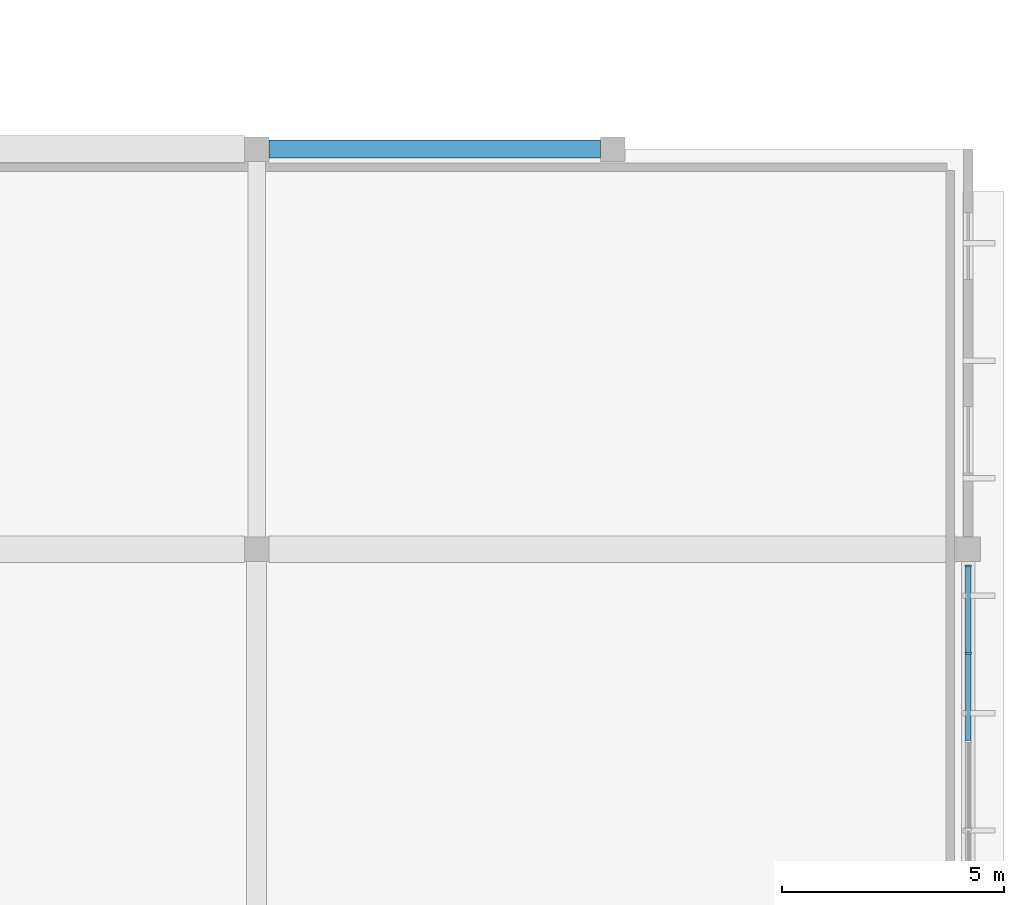
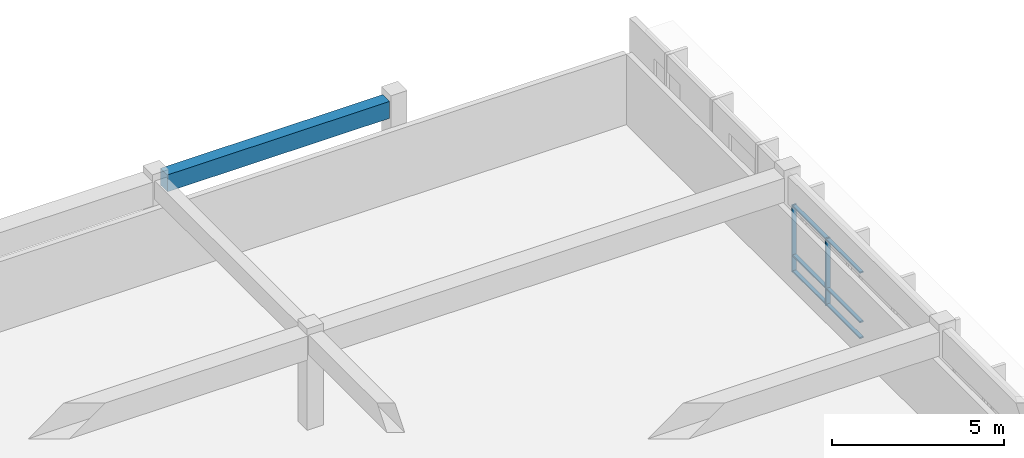
# One storey, part 35 of 77: 8 members, 1 beam, 1 element without a shape of its own.
"""IFC4 building model written with IfcOpenShell, lengths in metres."""

from ifc_helpers import new_model, si_unit, direction, frame, origin, origin_2d, place, context, subcontext, project, spatial, rectangle, extrude, material, material_profile, profile_set, type_object, element, aggregate, save


model = new_model("IFC4")

# Units and contexts
model_context = context("Model", 3, precision=1e-05, world=origin(), true_north=direction((0.0, 1.0)))
body_context = subcontext(model_context, "Body", "Model", "MODEL_VIEW")
ifc_project = project(units=[si_unit("LENGTHUNIT", "METRE"), si_unit("AREAUNIT", "SQUARE_METRE"), si_unit("VOLUMEUNIT", "CUBIC_METRE"), si_unit("PLANEANGLEUNIT", "RADIAN"), si_unit("MASSUNIT", "GRAM", prefix="KILO")], contexts=[model_context])

# Site, building, storey
site_placement = place(None, origin())
site = spatial("IfcSite", under=ifc_project, at=site_placement, CompositionType="ELEMENT")
building_placement = place(site_placement, origin())
building = spatial("IfcBuilding", under=site, at=building_placement, Name="Larkveld Mobility Hub", CompositionType="ELEMENT")
storey_placement = place(building_placement, frame((0.0, 0.0, 12.0)))
storey = spatial("IfcBuildingStorey", under=building, at=storey_placement, Name="L03", CompositionType="ELEMENT", Elevation=12.0)

# Beam
ifc_material_1 = material(Name="Concrete C40/50", Category="concrete")
ifc_material_profile_1 = material_profile(ifc_material_1, rectangle(XDim=0.39990234375, YDim=0.60009765625, at=origin_2d()), Name="RC BM 400x600")
ifc_profile_set_1 = profile_set([ifc_material_profile_1], Name="Concrete C40/50")
beam_type = type_object("IfcBeamType", Name="BM-RC4060", PredefinedType="BEAM", material=ifc_profile_set_1)
beam_placement = place(storey_placement, frame((168.27490234375, 28.0, 3.06005859375), z_axis=(1.0, 0.0, 0.0), x_axis=(0.0, 1.0, 0.0)))
element("IfcBeam", 1, at=beam_placement, inside=storey, type_object=beam_type, Name="Primary E-W Girder L03-0719", PredefinedType="BEAM", context=body_context, shape_type="SweptSolid", body=[
    extrude(rectangle(XDim=0.39990234375, YDim=0.60009765625, at=origin_2d()), origin(), (0.0, 0.0, 1.0), 7.4501953125),
])

# Curtain wall, members
ifc_material_2 = material(Name="Anodised aluminium 6063-T6", Category="aluminium")
curtain_wall_type = type_object("IfcCurtainWallType", Name="CW-SYS-01", PredefinedType="NOTDEFINED", material=ifc_material_2)
curtain_wall_placement = place(storey_placement, origin())
curtain_wall = element("IfcCurtainWall", 2, at=curtain_wall_placement, inside=storey, type_object=curtain_wall_type, Name="Service Wing East Curtain Wall L03 CW-121", PredefinedType="NOTDEFINED")
ifc_material_profile_2 = material_profile(ifc_material_2, rectangle(XDim=0.050048828125, YDim=0.14990234375, at=origin_2d()), Name="ALU MULL 50x150")
ifc_profile_set_2 = profile_set([ifc_material_profile_2], Name="Anodised aluminium 6063-T6")
member_type_1 = type_object("IfcMemberType", Name="CW-MUL-01", PredefinedType="MULLION", material=ifc_profile_set_2)
member_1_placement = place(storey_placement, frame((184.0, 16.666015625, -0.001953125), z_axis=(0.0, 0.0, 1.0), x_axis=(0.0, 1.0, 0.0)))
member_1 = element("IfcMember", 3, at=member_1_placement, type_object=member_type_1, Name="CW01 mullion 4", PredefinedType="MULLION", context=body_context, shape_type="SweptSolid", body=[
    extrude(rectangle(XDim=0.050048828125, YDim=0.14990234375, at=origin_2d()), origin(), (0.0, 0.0, 1.0), 2.3818359375),
])
member_2_placement = place(storey_placement, frame((184.0, 18.625, -0.001953125), z_axis=(0.0, 0.0, 1.0), x_axis=(0.0, 1.0, 0.0)))
member_2 = element("IfcMember", 4, at=member_2_placement, type_object=member_type_1, Name="CW01 mullion 5", PredefinedType="MULLION", context=body_context, shape_type="SweptSolid", body=[
    extrude(rectangle(XDim=0.050048828125, YDim=0.14990234375, at=origin_2d()), origin(), (0.0, 0.0, 1.0), 2.3818359375),
])
ifc_material_profile_3 = material_profile(ifc_material_2, rectangle(XDim=0.1201171875, YDim=0.050048828125, at=origin_2d()), Name="ALU TRAN 50x120")
ifc_profile_set_3 = profile_set([ifc_material_profile_3], Name="Anodised aluminium 6063-T6")
member_type_2 = type_object("IfcMemberType", Name="CW-TRN-01", PredefinedType="USERDEFINED", material=ifc_profile_set_3)
member_3_placement = place(storey_placement, frame((184.0, 14.697021484375, 0.030029296875), z_axis=(0.0, 1.0, 0.0), x_axis=(-1.0, 0.0, 0.0)))
member_3 = element("IfcMember", 5, at=member_3_placement, type_object=member_type_2, Name="CW01 transom 3.1", ObjectType="TRANSOM", PredefinedType="USERDEFINED", context=body_context, shape_type="SweptSolid", body=[
    extrude(rectangle(XDim=0.1201171875, YDim=0.050048828125, at=origin_2d()), origin(), (0.0, 0.0, 1.0), 1.953857421875),
])
member_4_placement = place(storey_placement, frame((184.0, 14.697021484375, 0.594970703125), z_axis=(0.0, 1.0, 0.0), x_axis=(-1.0, 0.0, 0.0)))
member_4 = element("IfcMember", 6, at=member_4_placement, type_object=member_type_2, Name="CW01 transom 3.2", ObjectType="TRANSOM", PredefinedType="USERDEFINED", context=body_context, shape_type="SweptSolid", body=[
    extrude(rectangle(XDim=0.1201171875, YDim=0.050048828125, at=origin_2d()), origin(), (0.0, 0.0, 1.0), 1.953857421875),
])
member_5_placement = place(storey_placement, frame((184.0, 14.697021484375, 2.347900390625), z_axis=(0.0, 1.0, 0.0), x_axis=(-1.0, 0.0, 0.0)))
member_5 = element("IfcMember", 7, at=member_5_placement, type_object=member_type_2, Name="CW01 transom 3.3", ObjectType="TRANSOM", PredefinedType="USERDEFINED", context=body_context, shape_type="SweptSolid", body=[
    extrude(rectangle(XDim=0.1201171875, YDim=0.050048828125, at=origin_2d()), origin(), (0.0, 0.0, 1.0), 1.953857421875),
])
member_6_placement = place(storey_placement, frame((184.0, 16.680908203125, 0.030029296875), z_axis=(0.0, 1.0, 0.0), x_axis=(-1.0, 0.0, 0.0)))
member_6 = element("IfcMember", 8, at=member_6_placement, type_object=member_type_2, Name="CW01 transom 4.1", ObjectType="TRANSOM", PredefinedType="USERDEFINED", context=body_context, shape_type="SweptSolid", body=[
    extrude(rectangle(XDim=0.1201171875, YDim=0.050048828125, at=origin_2d()), origin(), (0.0, 0.0, 1.0), 1.93408203125),
])
member_7_placement = place(storey_placement, frame((184.0, 16.680908203125, 0.594970703125), z_axis=(0.0, 1.0, 0.0), x_axis=(-1.0, 0.0, 0.0)))
member_7 = element("IfcMember", 9, at=member_7_placement, type_object=member_type_2, Name="CW01 transom 4.2", ObjectType="TRANSOM", PredefinedType="USERDEFINED", context=body_context, shape_type="SweptSolid", body=[
    extrude(rectangle(XDim=0.1201171875, YDim=0.050048828125, at=origin_2d()), origin(), (0.0, 0.0, 1.0), 1.93408203125),
])
member_8_placement = place(storey_placement, frame((184.0, 16.680908203125, 2.347900390625), z_axis=(0.0, 1.0, 0.0), x_axis=(-1.0, 0.0, 0.0)))
member_8 = element("IfcMember", 10, at=member_8_placement, type_object=member_type_2, Name="CW01 transom 4.3", ObjectType="TRANSOM", PredefinedType="USERDEFINED", context=body_context, shape_type="SweptSolid", body=[
    extrude(rectangle(XDim=0.1201171875, YDim=0.050048828125, at=origin_2d()), origin(), (0.0, 0.0, 1.0), 1.93408203125),
])
aggregate(curtain_wall, [member_1, member_2, member_3, member_4, member_5, member_6, member_7, member_8])

save(model, "model.ifc")
